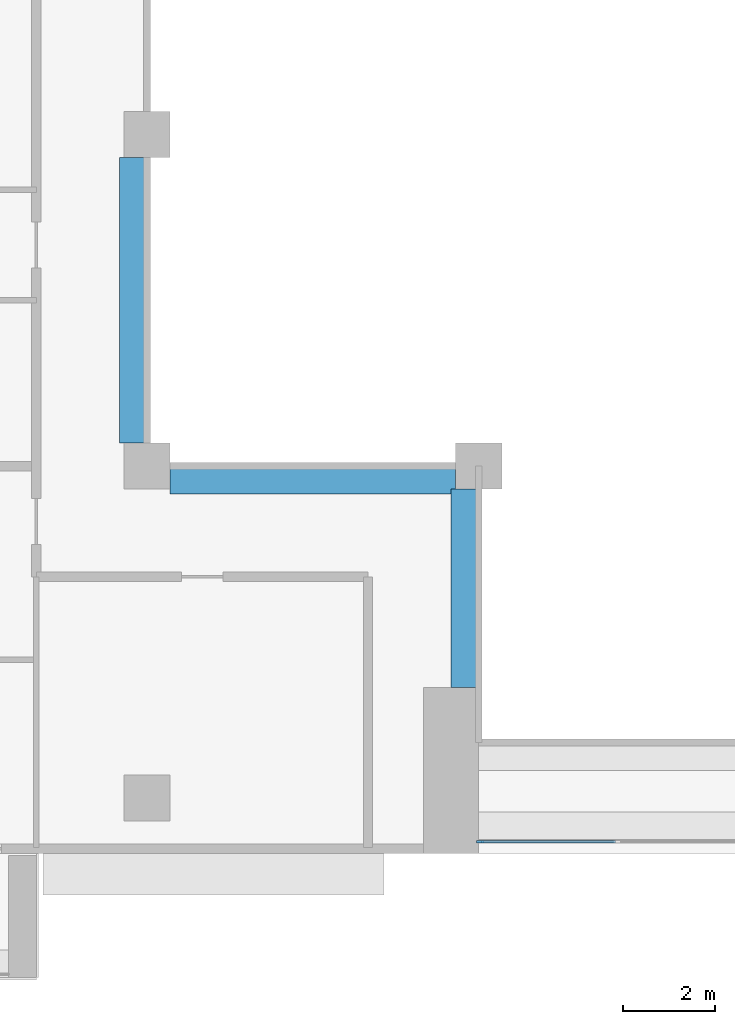
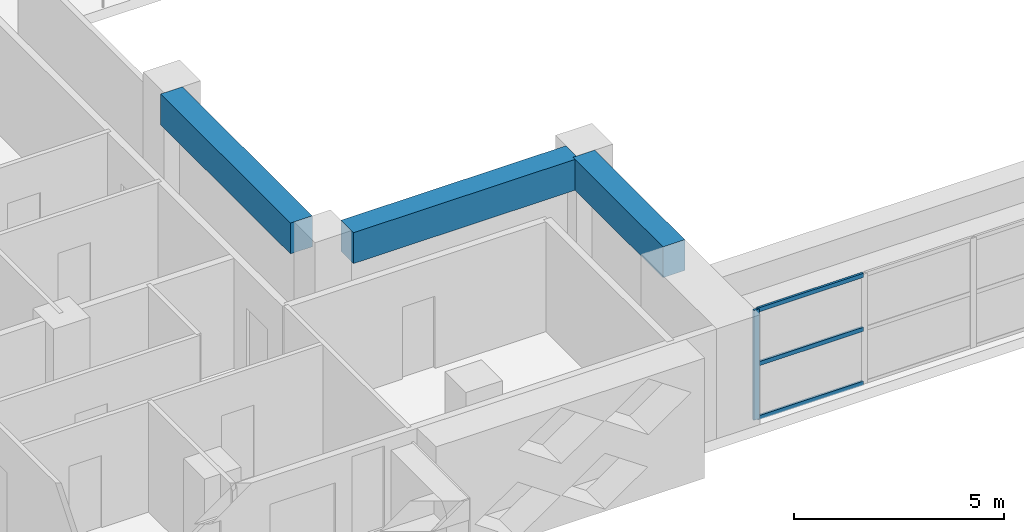
# One storey, part 2 of 20: 4 members, 3 beams, 1 element without a shape of its own.
"""IFC4 building model written with IfcOpenShell, lengths in metres."""

from ifc_helpers import new_model, si_unit, direction, frame, origin, origin_2d, place, context, subcontext, project, spatial, rectangle, extrude, source, transform, mapped, material, layer, layer_set, material_profile, profile_set, type_object, element, aggregate, save


model = new_model("IFC4")

# Units and contexts
model_context = context("Model", 3, precision=1e-05, world=origin(), true_north=direction((0.0, 1.0)))
body_context = subcontext(model_context, "Body", "Model", "MODEL_VIEW")
ifc_project = project(units=[si_unit("LENGTHUNIT", "METRE"), si_unit("AREAUNIT", "SQUARE_METRE"), si_unit("VOLUMEUNIT", "CUBIC_METRE"), si_unit("PLANEANGLEUNIT", "RADIAN"), si_unit("MASSUNIT", "GRAM", prefix="KILO")], contexts=[model_context])

# Site, building, storey
site_placement = place(None, origin())
site = spatial("IfcSite", under=ifc_project, at=site_placement, CompositionType="ELEMENT")
building_placement = place(site_placement, origin())
building = spatial("IfcBuilding", under=site, at=building_placement, Name="Saffron Iwan Residences", CompositionType="ELEMENT")
storey_placement = place(building_placement, frame((0.0, 0.0, 146.5)))
storey = spatial("IfcBuildingStorey", under=building, at=storey_placement, Name="L38", CompositionType="ELEMENT", Elevation=146.5)

# Beams
ifc_material_1 = material(Name="Concrete C50/60", Category="concrete")
ifc_material_profile_1 = material_profile(ifc_material_1, rectangle(XDim=0.60009765625, YDim=0.89990234375, at=origin_2d()), Name="RC 600x900")
ifc_profile_set_1 = profile_set([ifc_material_profile_1], Name="Concrete C50/60")
beam_type = type_object("IfcBeamType", Name="BEAM RC 600x900 C50/60 TOP 3200", PredefinedType="BEAM", material=ifc_profile_set_1)
shared_shape_1 = source(origin(), body_context, "Body", "SweptSolid", [
    extrude(rectangle(XDim=0.60009765625, YDim=0.89990234375, at=origin_2d()), origin(), (0.0, 0.0, 1.0), 4.300048828125),
])
beam_placement = place(storey_placement, frame((42.89990234375, 43.199951171875, 2.75), z_axis=(0.0, 1.0, 0.0), x_axis=(-1.0, 0.0, 0.0)))
element("IfcBeam", 1, at=beam_placement, inside=storey, type_object=beam_type, Name="Atrium edge beam", PredefinedType="BEAM", context=body_context, shape_type="MappedRepresentation", body=[
    mapped(shared_shape_1, transform((0.0, 0.0, 0.0))),
])
shared_shape_2 = source(origin(), body_context, "Body", "SweptSolid", [
    extrude(rectangle(XDim=0.60009765625, YDim=0.89990234375, at=origin_2d()), origin(), (0.0, 0.0, 1.0), 6.199951171875),
])
for number, where, z_axis, x_axis, name in (
    (2, (42.699951171875, 47.699951171875, 2.75), (-1.0, 0.0, 0.0), (0.0, -1.0, 0.0), "Atrium edge beam"),
    (3, (35.699951171875, 48.5, 2.75), (0.0, 1.0, 0.0), (-1.0, 0.0, 0.0), "Atrium edge beam"),
):
    element("IfcBeam", number, at=place(storey_placement, frame(where, z_axis=z_axis, x_axis=x_axis)), inside=storey, type_object=beam_type, Name=name, PredefinedType="BEAM", context=body_context, shape_type="MappedRepresentation", body=[
        mapped(shared_shape_2, transform((0.0, 0.0, 0.0))),
    ])

# Curtain wall, members
ifc_material_2 = material(Name="Clear glass, laminated double glazed", Category="glass")
ifc_layer = layer(ifc_material_2, 0.199951171875)
ifc_layer_set = layer_set([ifc_layer], Name="Clear glass, laminated double glazed")
curtain_wall_type = type_object("IfcCurtainWallType", Name="CW-B IWAN PORTAL", PredefinedType="NOTDEFINED", material=ifc_layer_set)
curtain_wall_placement = place(storey_placement, origin())
curtain_wall = element("IfcCurtainWall", 4, at=curtain_wall_placement, inside=storey, type_object=curtain_wall_type, Name="Iwan portal glazing L38.1", PredefinedType="NOTDEFINED")
ifc_material_3 = material(Name="Aluminium 6063-T6", Category="aluminium")
ifc_material_profile_2 = material_profile(ifc_material_3, rectangle(XDim=0.06005859375, YDim=0.1201171875, at=origin_2d()), Name="CW-B TRANSOM 60 x 120")
ifc_profile_set_2 = profile_set([ifc_material_profile_2], Name="Aluminium 6063-T6")
member_type_1 = type_object("IfcMemberType", Name="CW-B TRANSOM 60 x 120", PredefinedType="USERDEFINED", material=ifc_profile_set_2)
shared_shape_3 = source(origin(), body_context, "Body", "SweptSolid", [
    extrude(rectangle(XDim=0.06005859375, YDim=0.1201171875, at=origin_2d()), origin(), (0.0, 0.0, 1.0), 2.909912109375),
])
member_1_placement = place(storey_placement, frame((43.260009765625, 39.85009765625, 0.030029296875), z_axis=(1.0, 0.0, 0.0), x_axis=(0.0, 1.0, 0.0)))
member_1 = element("IfcMember", 5, at=member_1_placement, type_object=member_type_1, Name="CW-B transom 1.1", ObjectType="TRANSOM", PredefinedType="USERDEFINED", context=body_context, shape_type="MappedRepresentation", body=[
    mapped(shared_shape_3, transform((0.0, 0.0, 0.0))),
])
member_2_placement = place(storey_placement, frame((43.260009765625, 39.85009765625, 1.60009765625), z_axis=(1.0, 0.0, 0.0), x_axis=(0.0, 1.0, 0.0)))
member_2 = element("IfcMember", 6, at=member_2_placement, type_object=member_type_1, Name="CW-B transom 1.2", ObjectType="TRANSOM", PredefinedType="USERDEFINED", context=body_context, shape_type="MappedRepresentation", body=[
    mapped(shared_shape_3, transform((0.0, 0.0, 0.0))),
])
member_3_placement = place(storey_placement, frame((43.260009765625, 39.85009765625, 3.169921875), z_axis=(1.0, 0.0, 0.0), x_axis=(0.0, 1.0, 0.0)))
member_3 = element("IfcMember", 7, at=member_3_placement, type_object=member_type_1, Name="CW-B transom 1.3", ObjectType="TRANSOM", PredefinedType="USERDEFINED", context=body_context, shape_type="MappedRepresentation", body=[
    mapped(shared_shape_3, transform((0.0, 0.0, 0.0))),
])
ifc_material_profile_3 = material_profile(ifc_material_3, rectangle(XDim=0.06005859375, YDim=0.159912109375, at=origin_2d()), Name="CW-B MULLION 60 x 160")
ifc_profile_set_3 = profile_set([ifc_material_profile_3], Name="Aluminium 6063-T6")
member_type_2 = type_object("IfcMemberType", Name="CW-B MULLION 60 x 160", PredefinedType="MULLION", material=ifc_profile_set_3)
shared_shape_4 = source(origin(), body_context, "Body", "SweptSolid", [
    extrude(rectangle(XDim=0.06005859375, YDim=0.159912109375, at=origin_2d()), origin(), (0.0, 0.0, 1.0), 3.199951171875),
])
member_4_placement = place(storey_placement, frame((43.22998046875, 39.85009765625, 0.0), z_axis=(0.0, 0.0, 1.0), x_axis=(0.0, 1.0, 0.0)))
member_4 = element("IfcMember", 8, at=member_4_placement, type_object=member_type_2, Name="CW-B mullion 1", PredefinedType="MULLION", context=body_context, shape_type="MappedRepresentation", body=[
    mapped(shared_shape_4, transform((0.0, 0.0, 0.0))),
])
aggregate(curtain_wall, [member_4, member_1, member_2, member_3])

save(model, "model.ifc")
